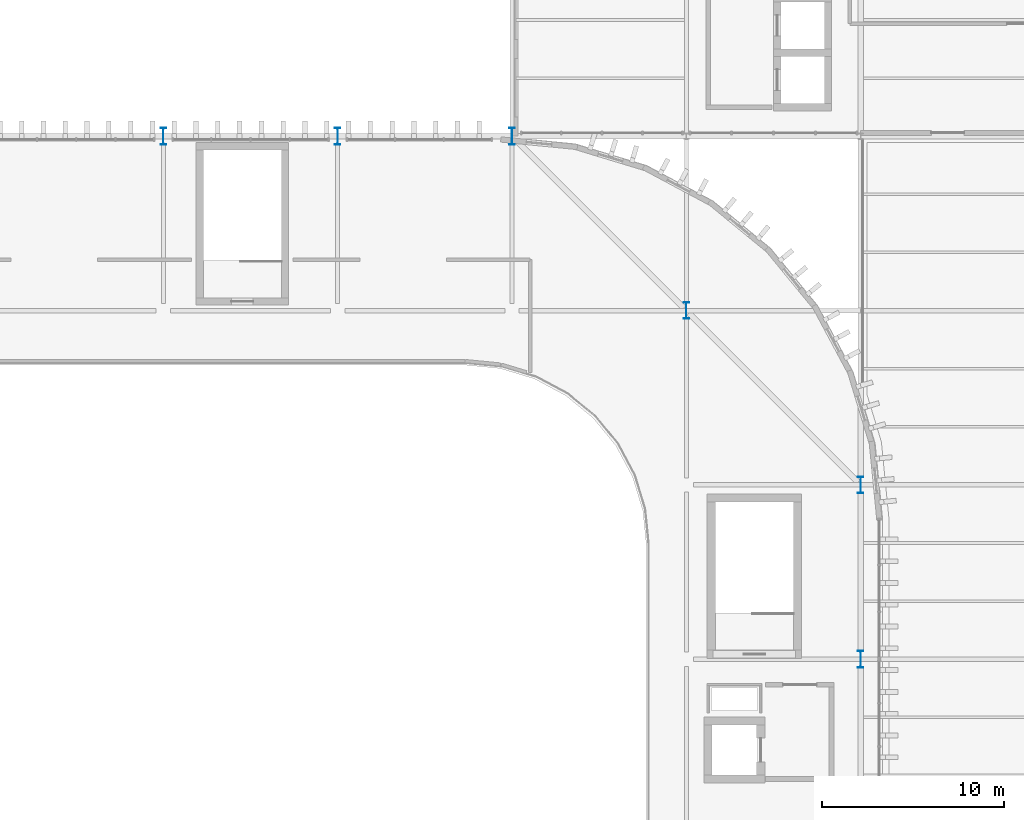
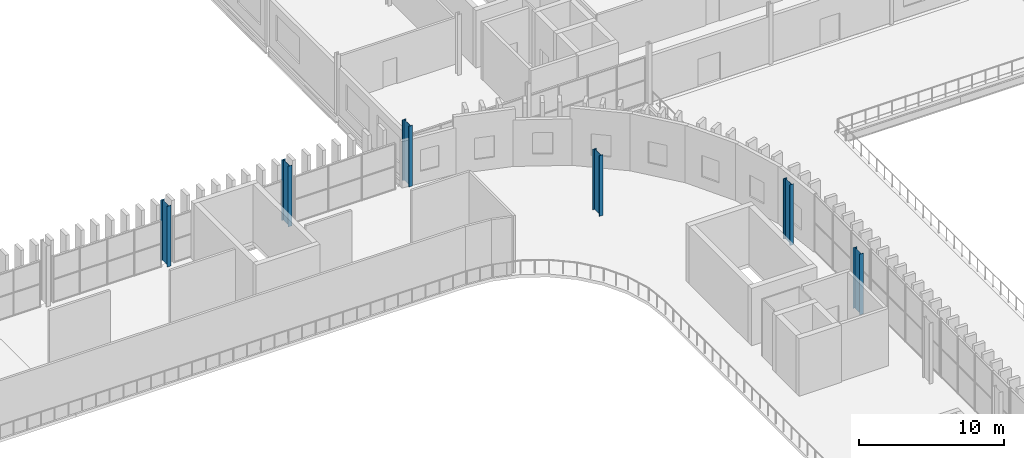
# One storey, part 4 of 45: 6 columns.
"""IFC4 building model written with IfcOpenShell, lengths in metres."""

from ifc_helpers import new_model, si_unit, direction, frame, origin, origin_2d, place, context, subcontext, project, spatial, i_section, extrude, material, material_profile, profile_set, type_object, element, save


model = new_model("IFC4")

# Units and contexts
model_context = context("Model", 3, precision=1e-05, world=origin(), true_north=direction((0.0, 1.0)))
body_context = subcontext(model_context, "Body", "Model", "MODEL_VIEW")
ifc_project = project(units=[si_unit("LENGTHUNIT", "METRE"), si_unit("AREAUNIT", "SQUARE_METRE"), si_unit("VOLUMEUNIT", "CUBIC_METRE"), si_unit("PLANEANGLEUNIT", "RADIAN"), si_unit("MASSUNIT", "GRAM", prefix="KILO")], contexts=[model_context])

# Site, building, storey
site_placement = place(None, origin())
site = spatial("IfcSite", under=ifc_project, at=site_placement, CompositionType="ELEMENT")
building_placement = place(site_placement, origin())
building = spatial("IfcBuilding", under=site, at=building_placement, Name="Caelomonte Colonnade Arena", CompositionType="ELEMENT")
storey_placement = place(building_placement, frame((0.0, 0.0, 23.10009765625)))
storey = spatial("IfcBuildingStorey", under=building, at=storey_placement, Name="L05", CompositionType="ELEMENT", Elevation=23.10009765625)

# Columns
ifc_material = material(Name="Wide-flange steel ASTM A992 Grade 50", Category="steel")
ifc_material_profile = material_profile(ifc_material, i_section(OverallWidth=0.3046875, OverallDepth=0.914306640625, WebThickness=0.0166015625, FlangeThickness=0.02587890625, FilletRadius=0.020263671875, at=origin_2d()), Name="W36X160")
ifc_profile_set = profile_set([ifc_material_profile], Name="Wide-flange steel ASTM A992 Grade 50")
column_type = type_object("IfcColumnType", Name="STR-COL-W36C", PredefinedType="COLUMN", material=ifc_profile_set)
for number, where, z_axis, x_axis, name in (
    (1, (124.800048828125, 115.199951171875, 0.0), (0.0, 0.0, 1.0), (1.0, 0.0, 0.0), "L05 column (124.8, 115.2)"),
    (2, (134.39990234375, 115.199951171875, 0.0), (0.0, 0.0, 1.0), (1.0, 0.0, 0.0), "L05 column (134.4, 115.2)"),
    (3, (144.0, 115.199951171875, 0.0), (0.0, 0.0, 1.0), (1.0, 0.0, 0.0), "L05 column (144.0, 115.2)"),
    (4, (153.60009765625, 105.60009765625, 0.0), (0.0, 0.0, 1.0), (1.0, 0.0, 0.0), "L05 column (153.6, 105.6)"),
    (5, (163.199951171875, 86.39990234375, 0.0), (0.0, 0.0, 1.0), (1.0, 0.0, 0.0), "L05 column (163.2, 86.4)"),
    (6, (163.199951171875, 96.0, 0.0), (0.0, 0.0, 1.0), (1.0, 0.0, 0.0), "L05 column (163.2, 96.0)"),
):
    element("IfcColumn", number, at=place(storey_placement, frame(where, z_axis=z_axis, x_axis=x_axis)), inside=storey, type_object=column_type, Name=name, PredefinedType="COLUMN", context=body_context, shape_type="SweptSolid", body=[
        extrude(i_section(OverallWidth=0.3046875, OverallDepth=0.914306640625, WebThickness=0.0166015625, FlangeThickness=0.02587890625, FilletRadius=0.020263671875, at=origin_2d()), origin(), (0.0, 0.0, 1.0), 5.099853515625),
    ])

save(model, "model.ifc")
